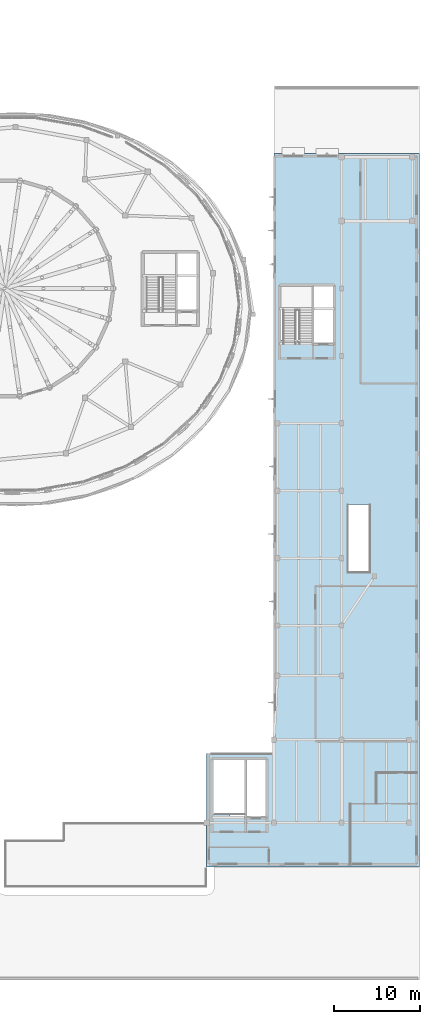
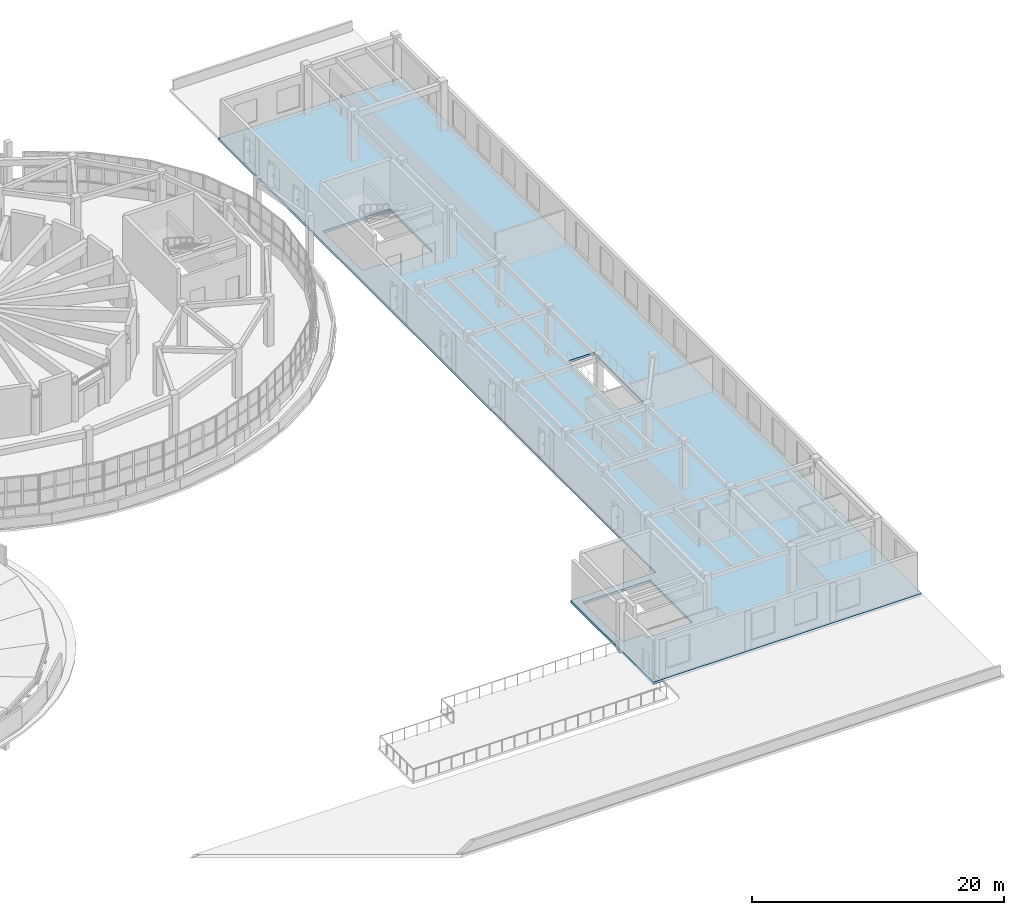
# One storey, part 51 of 69: 1 slab.
"""IFC4 building model written with IfcOpenShell, lengths in metres."""

from ifc_helpers import new_model, si_unit, direction, frame, origin, place, context, subcontext, project, spatial, polyline, outline, extrude, material, layer, layer_set, type_object, element, save


model = new_model("IFC4")

# Units and contexts
model_context = context("Model", 3, precision=1e-05, world=origin(), true_north=direction((0.0, 1.0)))
body_context = subcontext(model_context, "Body", "Model", "MODEL_VIEW")
ifc_project = project(units=[si_unit("LENGTHUNIT", "METRE"), si_unit("AREAUNIT", "SQUARE_METRE"), si_unit("VOLUMEUNIT", "CUBIC_METRE"), si_unit("PLANEANGLEUNIT", "RADIAN"), si_unit("MASSUNIT", "GRAM", prefix="KILO")], contexts=[model_context])

# Site, building, storey
site_placement = place(None, origin())
site = spatial("IfcSite", under=ifc_project, at=site_placement, CompositionType="ELEMENT")
building_placement = place(site_placement, origin())
building = spatial("IfcBuilding", under=site, at=building_placement, Name="Pelvatis Terrace Science Centre", CompositionType="ELEMENT")
storey_placement = place(building_placement, frame((0.0, 0.0, 15.0)))
storey = spatial("IfcBuildingStorey", under=building, at=storey_placement, Name="L03", CompositionType="ELEMENT", Elevation=15.0)

# Slab
ifc_material = material(Name="Concrete C35/45", Category="concrete")
ifc_layer = layer(ifc_material, 0.238037109375)
ifc_layer_set = layer_set([ifc_layer], Name="Concrete C35/45")
slab_type = type_object("IfcSlabType", Name="SLB-FLR-238", PredefinedType="FLOOR", material=ifc_layer_set)
slab_placement = place(storey_placement, frame((0.0, 0.0, -0.238037109375)))
element("IfcSlab", 1, at=slab_placement, inside=storey, type_object=slab_type, Name="L03 Conservation laboratories and curatorial offices slab", PredefinedType="FLOOR", context=body_context, shape_type="SweptSolid", body=[
    extrude(outline(polyline([(140.39990234375, 32.0), (140.39990234375, 101.39990234375), (157.199951171875, 101.39990234375), (157.199951171875, 18.89990234375), (132.60009765625, 18.89990234375), (132.60009765625, 32.0), (140.39990234375, 32.0)]), holes=[polyline([(133.320068359375, 25.02001953125), (135.280029296875, 25.02001953125), (135.280029296875, 24.52001953125), (139.47998046875, 24.52001953125), (139.47998046875, 31.280029296875), (133.320068359375, 31.280029296875), (133.320068359375, 25.02001953125)]), polyline([(149.0, 60.800048828125), (149.0, 53.0), (151.39990234375, 53.0), (151.39990234375, 60.800048828125), (149.0, 60.800048828125)]), polyline([(141.1201171875, 86.080078125), (141.1201171875, 79.820068359375), (143.080078125, 79.820068359375), (143.080078125, 79.320068359375), (147.280029296875, 79.320068359375), (147.280029296875, 86.080078125), (141.1201171875, 86.080078125)])]), origin(), (0.0, 0.0, 1.0), 0.238037109375),
])

save(model, "model.ifc")
